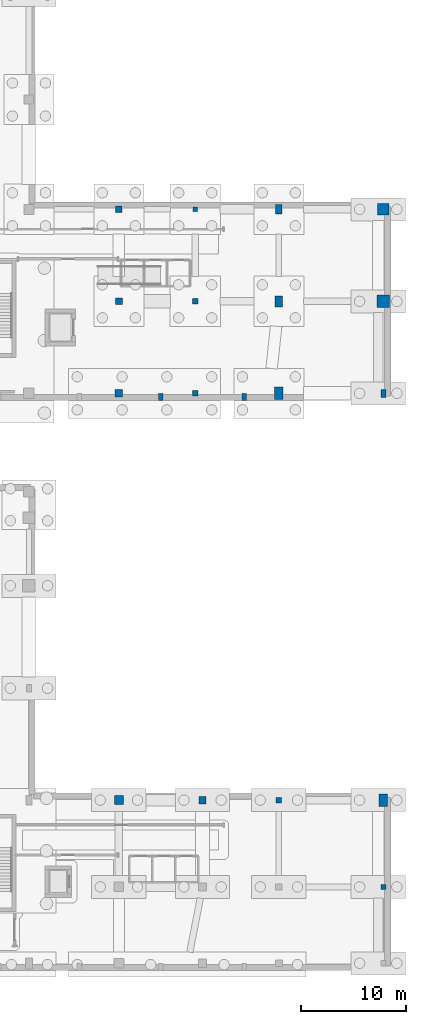
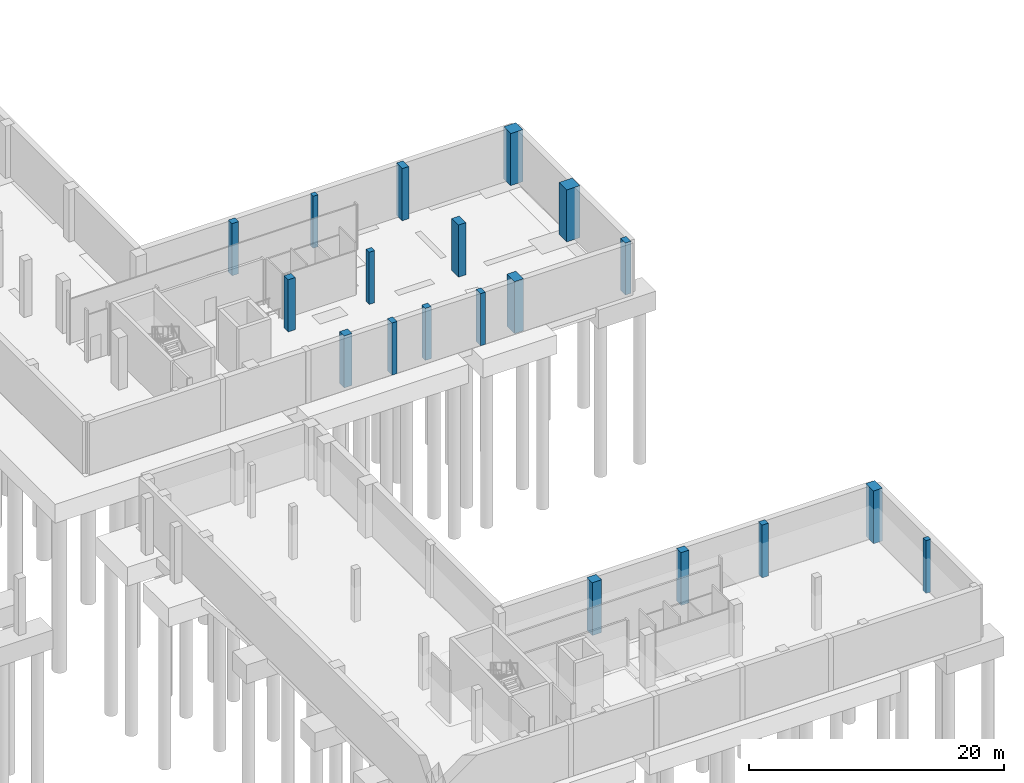
# One storey, part 6 of 33: 19 columns.
"""IFC4 building model written with IfcOpenShell, lengths in metres."""

from ifc_helpers import new_model, si_unit, direction, frame, origin, origin_2d, place, context, subcontext, project, spatial, rectangle, extrude, material, material_profile, profile_set, type_object, element, save


model = new_model("IFC4")

# Units and contexts
model_context = context("Model", 3, precision=1e-05, world=origin(), true_north=direction((0.0, 1.0)))
body_context = subcontext(model_context, "Body", "Model", "MODEL_VIEW")
ifc_project = project(units=[si_unit("LENGTHUNIT", "METRE"), si_unit("AREAUNIT", "SQUARE_METRE"), si_unit("VOLUMEUNIT", "CUBIC_METRE"), si_unit("PLANEANGLEUNIT", "RADIAN"), si_unit("MASSUNIT", "GRAM", prefix="KILO")], contexts=[model_context])

# Site, building, storey
site_placement = place(None, origin())
site = spatial("IfcSite", under=ifc_project, at=site_placement, CompositionType="ELEMENT")
building_placement = place(site_placement, origin())
building = spatial("IfcBuilding", under=site, at=building_placement, Name="Soyqirgoq Riverine Aquarium", CompositionType="ELEMENT")
storey_placement = place(building_placement, frame((0.0, 0.0, -5.39990234375)))
storey = spatial("IfcBuildingStorey", under=building, at=storey_placement, Name="B01", CompositionType="ELEMENT", Elevation=-5.39990234375)

# Columns
ifc_material_1 = material(Name="Waterproof concrete C45/55", Category="concrete")
ifc_material_profile_1 = material_profile(ifc_material_1, rectangle(XDim=1.10009765625, YDim=1.10009765625, at=origin_2d()), Name="RC 1100x1100")
ifc_profile_set_1 = profile_set([ifc_material_profile_1], Name="Waterproof concrete C45/55")
column_type_1 = type_object("IfcColumnType", Name="Col_RC_1100x1100", PredefinedType="COLUMN", material=ifc_profile_set_1)
column_1_placement = place(storey_placement, frame((163.300048828125, 74.300048828125, 0.0), z_axis=(0.0, 0.0, 1.0), x_axis=(1.0, 0.0, 0.0)))
element("IfcColumn", 1, at=column_1_placement, inside=storey, type_object=column_type_1, Name="V7 Column V7-C-32 B01", PredefinedType="COLUMN", context=body_context, shape_type="SweptSolid", body=[
    extrude(rectangle(XDim=1.10009765625, YDim=1.10009765625, at=origin_2d()), origin(), (0.0, 0.0, 1.0), 4.97998046875),
])
ifc_material_2 = material(Name="Waterproof concrete C45/55", Category="concrete")
ifc_material_profile_2 = material_profile(ifc_material_2, rectangle(XDim=1.199951171875, YDim=1.199951171875, at=origin_2d()), Name="RC 1200x1200")
ifc_profile_set_2 = profile_set([ifc_material_profile_2], Name="Waterproof concrete C45/55")
column_type_2 = type_object("IfcColumnType", Name="Col_RC_1200x1200", PredefinedType="COLUMN", material=ifc_profile_set_2)
column_2_placement = place(storey_placement, frame((163.300048828125, 65.5, 0.0), z_axis=(0.0, 0.0, 1.0), x_axis=(1.0, 0.0, 0.0)))
element("IfcColumn", 2, at=column_2_placement, inside=storey, type_object=column_type_2, Name="V7 Column V7-C-31 B01", PredefinedType="COLUMN", context=body_context, shape_type="SweptSolid", body=[
    extrude(rectangle(XDim=1.199951171875, YDim=1.199951171875, at=origin_2d()), origin(), (0.0, 0.0, 1.0), 4.97998046875),
])
ifc_material_3 = material(Name="Concrete C40/50", Category="concrete")
ifc_material_profile_3 = material_profile(ifc_material_3, rectangle(XDim=0.449951171875, YDim=0.449951171875, at=origin_2d()), Name="RC 450x450")
ifc_profile_set_3 = profile_set([ifc_material_profile_3], Name="Concrete C40/50")
column_type_3 = type_object("IfcColumnType", Name="Col_RC_450x450", PredefinedType="COLUMN", material=ifc_profile_set_3)
column_3_placement = place(storey_placement, frame((163.300048828125, 9.5, 0.0), z_axis=(0.0, 0.0, 1.0), x_axis=(1.0, 0.0, 0.0)))
element("IfcColumn", 3, at=column_3_placement, inside=storey, type_object=column_type_3, Name="V6 Column V6-C-31 B01", PredefinedType="COLUMN", context=body_context, shape_type="SweptSolid", body=[
    extrude(rectangle(XDim=0.449951171875, YDim=0.449951171875, at=origin_2d()), origin(), (0.0, 0.0, 1.0), 5.0498046875),
])
column_4_placement = place(storey_placement, frame((145.300048828125, 74.300048828125, 0.0), z_axis=(0.0, 0.0, 1.0), x_axis=(1.0, 0.0, 0.0)))
element("IfcColumn", 4, at=column_4_placement, inside=storey, type_object=column_type_3, Name="V7 Column V7-C-26 B01", PredefinedType="COLUMN", context=body_context, shape_type="SweptSolid", body=[
    extrude(rectangle(XDim=0.449951171875, YDim=0.449951171875, at=origin_2d()), origin(), (0.0, 0.0, 1.0), 4.97998046875),
])
ifc_material_4 = material(Name="Concrete C40/50", Category="concrete")
ifc_material_profile_4 = material_profile(ifc_material_4, rectangle(XDim=0.5, YDim=0.5, at=origin_2d()), Name="RC 500x500")
ifc_profile_set_4 = profile_set([ifc_material_profile_4], Name="Concrete C40/50")
column_type_4 = type_object("IfcColumnType", Name="Col_RC_500x500", PredefinedType="COLUMN", material=ifc_profile_set_4)
column_5_placement = place(storey_placement, frame((145.300048828125, 65.5, 0.0), z_axis=(0.0, 0.0, 1.0), x_axis=(1.0, 0.0, 0.0)))
element("IfcColumn", 5, at=column_5_placement, inside=storey, type_object=column_type_4, Name="V7 Column V7-C-25 B01", PredefinedType="COLUMN", context=body_context, shape_type="SweptSolid", body=[
    extrude(rectangle(XDim=0.5, YDim=0.5, at=origin_2d()), origin(), (0.0, 0.0, 1.0), 4.97998046875),
])
ifc_material_5 = material(Name="Concrete C40/50", Category="concrete")
ifc_material_profile_5 = material_profile(ifc_material_5, rectangle(XDim=0.5, YDim=0.75, at=origin_2d()), Name="RC-COL 500x750")
ifc_profile_set_5 = profile_set([ifc_material_profile_5], Name="Concrete C40/50")
column_type_5 = type_object("IfcColumnType", Name="Col_RC_500x750", PredefinedType="COLUMN", material=ifc_profile_set_5)
column_6_placement = place(storey_placement, frame((163.300048828125, 56.699951171875, 0.0), z_axis=(0.0, 0.0, 1.0), x_axis=(1.0, 0.0, 0.0)))
element("IfcColumn", 6, at=column_6_placement, inside=storey, type_object=column_type_5, Name="V7 Column V7-C-30 B01", PredefinedType="COLUMN", context=body_context, shape_type="SweptSolid", body=[
    extrude(rectangle(XDim=0.5, YDim=0.75, at=origin_2d()), origin(), (0.0, 0.0, 1.0), 4.97998046875),
])
ifc_material_6 = material(Name="Concrete C40/50", Category="concrete")
ifc_material_profile_6 = material_profile(ifc_material_6, rectangle(XDim=0.550048828125, YDim=0.550048828125, at=origin_2d()), Name="RC 550x550")
ifc_profile_set_6 = profile_set([ifc_material_profile_6], Name="Concrete C40/50")
column_type_6 = type_object("IfcColumnType", Name="Col_RC_550x550", PredefinedType="COLUMN", material=ifc_profile_set_6)
column_7_placement = place(storey_placement, frame((153.300048828125, 17.800048828125, 0.0), z_axis=(0.0, 0.0, 1.0), x_axis=(1.0, 0.0, 0.0)))
element("IfcColumn", 7, at=column_7_placement, inside=storey, type_object=column_type_6, Name="V6 Column V6-C-29 B01", PredefinedType="COLUMN", context=body_context, shape_type="SweptSolid", body=[
    extrude(rectangle(XDim=0.550048828125, YDim=0.550048828125, at=origin_2d()), origin(), (0.0, 0.0, 1.0), 5.0498046875),
])
column_8_placement = place(storey_placement, frame((145.300048828125, 56.699951171875, 0.0), z_axis=(0.0, 0.0, 1.0), x_axis=(1.0, 0.0, 0.0)))
element("IfcColumn", 8, at=column_8_placement, inside=storey, type_object=column_type_6, Name="V7 Column V7-C-24 B01", PredefinedType="COLUMN", context=body_context, shape_type="SweptSolid", body=[
    extrude(rectangle(XDim=0.550048828125, YDim=0.550048828125, at=origin_2d()), origin(), (0.0, 0.0, 1.0), 4.97998046875),
])
ifc_material_7 = material(Name="Concrete C40/50", Category="concrete")
ifc_material_profile_7 = material_profile(ifc_material_7, rectangle(XDim=0.60009765625, YDim=0.60009765625, at=origin_2d()), Name="RC 600x600")
ifc_profile_set_7 = profile_set([ifc_material_profile_7], Name="Concrete C40/50")
column_type_7 = type_object("IfcColumnType", Name="Col_RC_600x600", PredefinedType="COLUMN", material=ifc_profile_set_7)
column_9_placement = place(storey_placement, frame((138.0, 74.300048828125, 0.0), z_axis=(0.0, 0.0, 1.0), x_axis=(1.0, 0.0, 0.0)))
element("IfcColumn", 9, at=column_9_placement, inside=storey, type_object=column_type_7, Name="V7 Column V7-C-23 B01", PredefinedType="COLUMN", context=body_context, shape_type="SweptSolid", body=[
    extrude(rectangle(XDim=0.60009765625, YDim=0.60009765625, at=origin_2d()), origin(), (0.0, 0.0, 1.0), 4.97998046875),
])
ifc_material_8 = material(Name="Concrete C40/50", Category="concrete")
ifc_material_profile_8 = material_profile(ifc_material_8, rectangle(XDim=0.60009765625, YDim=0.89990234375, at=origin_2d()), Name="RC-COL 600x900")
ifc_profile_set_8 = profile_set([ifc_material_profile_8], Name="Concrete C40/50")
column_type_8 = type_object("IfcColumnType", Name="Col_RC_600x900", PredefinedType="COLUMN", material=ifc_profile_set_8)
column_10_placement = place(storey_placement, frame((153.300048828125, 74.300048828125, 0.0), z_axis=(0.0, 0.0, 1.0), x_axis=(1.0, 0.0, 0.0)))
element("IfcColumn", 10, at=column_10_placement, inside=storey, type_object=column_type_8, Name="V7 Column V7-C-29 B01", PredefinedType="COLUMN", context=body_context, shape_type="SweptSolid", body=[
    extrude(rectangle(XDim=0.60009765625, YDim=0.89990234375, at=origin_2d()), origin(), (0.0, 0.0, 1.0), 4.97998046875),
])
ifc_material_9 = material(Name="Concrete C40/50", Category="concrete")
ifc_material_profile_9 = material_profile(ifc_material_9, rectangle(XDim=0.64990234375, YDim=0.64990234375, at=origin_2d()), Name="RC 650x650")
ifc_profile_set_9 = profile_set([ifc_material_profile_9], Name="Concrete C40/50")
column_type_9 = type_object("IfcColumnType", Name="Col_RC_650x650", PredefinedType="COLUMN", material=ifc_profile_set_9)
column_11_placement = place(storey_placement, frame((138.0, 65.5, 0.0), z_axis=(0.0, 0.0, 1.0), x_axis=(1.0, 0.0, 0.0)))
element("IfcColumn", 11, at=column_11_placement, inside=storey, type_object=column_type_9, Name="V7 Column V7-C-22 B01", PredefinedType="COLUMN", context=body_context, shape_type="SweptSolid", body=[
    extrude(rectangle(XDim=0.64990234375, YDim=0.64990234375, at=origin_2d()), origin(), (0.0, 0.0, 1.0), 4.97998046875),
])
ifc_material_10 = material(Name="Concrete C40/50", Category="concrete")
ifc_material_profile_10 = material_profile(ifc_material_10, rectangle(XDim=0.699951171875, YDim=1.050048828125, at=origin_2d()), Name="RC-COL 700x1050")
ifc_profile_set_10 = profile_set([ifc_material_profile_10], Name="Concrete C40/50")
column_type_10 = type_object("IfcColumnType", Name="Col_RC_700x1050", PredefinedType="COLUMN", material=ifc_profile_set_10)
column_12_placement = place(storey_placement, frame((153.300048828125, 65.5, 0.0), z_axis=(0.0, 0.0, 1.0), x_axis=(1.0, 0.0, 0.0)))
element("IfcColumn", 12, at=column_12_placement, inside=storey, type_object=column_type_10, Name="V7 Column V7-C-28 B01", PredefinedType="COLUMN", context=body_context, shape_type="SweptSolid", body=[
    extrude(rectangle(XDim=0.699951171875, YDim=1.050048828125, at=origin_2d()), origin(), (0.0, 0.0, 1.0), 4.97998046875),
])
ifc_material_11 = material(Name="Concrete C40/50", Category="concrete")
ifc_material_profile_11 = material_profile(ifc_material_11, rectangle(XDim=0.699951171875, YDim=0.699951171875, at=origin_2d()), Name="RC 700x700")
ifc_profile_set_11 = profile_set([ifc_material_profile_11], Name="Concrete C40/50")
column_type_11 = type_object("IfcColumnType", Name="Col_RC_700x700", PredefinedType="COLUMN", material=ifc_profile_set_11)
column_13_placement = place(storey_placement, frame((146.0, 17.800048828125, 0.0), z_axis=(0.0, 0.0, 1.0), x_axis=(1.0, 0.0, 0.0)))
element("IfcColumn", 13, at=column_13_placement, inside=storey, type_object=column_type_11, Name="V6 Column V6-C-26 B01", PredefinedType="COLUMN", context=body_context, shape_type="SweptSolid", body=[
    extrude(rectangle(XDim=0.699951171875, YDim=0.699951171875, at=origin_2d()), origin(), (0.0, 0.0, 1.0), 5.0498046875),
])
column_14_placement = place(storey_placement, frame((138.0, 56.699951171875, 0.0), z_axis=(0.0, 0.0, 1.0), x_axis=(1.0, 0.0, 0.0)))
element("IfcColumn", 14, at=column_14_placement, inside=storey, type_object=column_type_11, Name="V7 Column V7-C-21 B01", PredefinedType="COLUMN", context=body_context, shape_type="SweptSolid", body=[
    extrude(rectangle(XDim=0.699951171875, YDim=0.699951171875, at=origin_2d()), origin(), (0.0, 0.0, 1.0), 4.97998046875),
])
ifc_material_12 = material(Name="Concrete C40/50", Category="concrete")
ifc_material_profile_12 = material_profile(ifc_material_12, rectangle(XDim=0.800048828125, YDim=1.199951171875, at=origin_2d()), Name="RC-COL 800x1200")
ifc_profile_set_12 = profile_set([ifc_material_profile_12], Name="Concrete C40/50")
column_type_12 = type_object("IfcColumnType", Name="Col_RC_800x1200", PredefinedType="COLUMN", material=ifc_profile_set_12)
column_15_placement = place(storey_placement, frame((163.300048828125, 17.800048828125, 0.0), z_axis=(0.0, 0.0, 1.0), x_axis=(1.0, 0.0, 0.0)))
element("IfcColumn", 15, at=column_15_placement, inside=storey, type_object=column_type_12, Name="V6 Column V6-C-32 B01", PredefinedType="COLUMN", context=body_context, shape_type="SweptSolid", body=[
    extrude(rectangle(XDim=0.800048828125, YDim=1.199951171875, at=origin_2d()), origin(), (0.0, 0.0, 1.0), 5.0498046875),
])
column_16_placement = place(storey_placement, frame((153.300048828125, 56.699951171875, 0.0), z_axis=(0.0, 0.0, 1.0), x_axis=(1.0, 0.0, 0.0)))
element("IfcColumn", 16, at=column_16_placement, inside=storey, type_object=column_type_12, Name="V7 Column V7-C-27 B01", PredefinedType="COLUMN", context=body_context, shape_type="SweptSolid", body=[
    extrude(rectangle(XDim=0.800048828125, YDim=1.199951171875, at=origin_2d()), origin(), (0.0, 0.0, 1.0), 4.97998046875),
])
ifc_material_13 = material(Name="Concrete C40/50", Category="concrete")
ifc_material_profile_13 = material_profile(ifc_material_13, rectangle(XDim=0.85009765625, YDim=0.85009765625, at=origin_2d()), Name="RC 850x850")
ifc_profile_set_13 = profile_set([ifc_material_profile_13], Name="Concrete C40/50")
column_type_13 = type_object("IfcColumnType", Name="Col_RC_850x850", PredefinedType="COLUMN", material=ifc_profile_set_13)
column_17_placement = place(storey_placement, frame((138.0, 17.800048828125, 0.0), z_axis=(0.0, 0.0, 1.0), x_axis=(1.0, 0.0, 0.0)))
element("IfcColumn", 17, at=column_17_placement, inside=storey, type_object=column_type_13, Name="V6 Column V6-C-23 B01", PredefinedType="COLUMN", context=body_context, shape_type="SweptSolid", body=[
    extrude(rectangle(XDim=0.85009765625, YDim=0.85009765625, at=origin_2d()), origin(), (0.0, 0.0, 1.0), 5.0498046875),
])
ifc_material_14 = material(Name="Concrete C40/50", Category="concrete")
ifc_material_profile_14 = material_profile(ifc_material_14, rectangle(XDim=0.449951171875, YDim=0.699951171875, at=origin_2d()), Name="RC-PIL 450x700")
ifc_profile_set_14 = profile_set([ifc_material_profile_14], Name="Concrete C40/50")
column_type_14 = type_object("IfcColumnType", Name="Pilaster_450x700", PredefinedType="PILASTER", material=ifc_profile_set_14)
for number, where, z_axis, x_axis, name in (
    (18, (142.0, 56.35009765625, 0.0), (0.0, 0.0, 1.0), (1.0, 0.0, 0.0), "V7 Facade Pilaster PIL-V7-06 B01"),
    (19, (150.0, 56.35009765625, 0.0), (0.0, 0.0, 1.0), (1.0, 0.0, 0.0), "V7 Facade Pilaster PIL-V7-08 B01"),
):
    element("IfcColumn", number, at=place(storey_placement, frame(where, z_axis=z_axis, x_axis=x_axis)), inside=storey, type_object=column_type_14, Name=name, PredefinedType="PILASTER", context=body_context, shape_type="SweptSolid", body=[
        extrude(rectangle(XDim=0.449951171875, YDim=0.699951171875, at=origin_2d()), origin(), (0.0, 0.0, 1.0), 4.97998046875),
    ])

save(model, "model.ifc")
